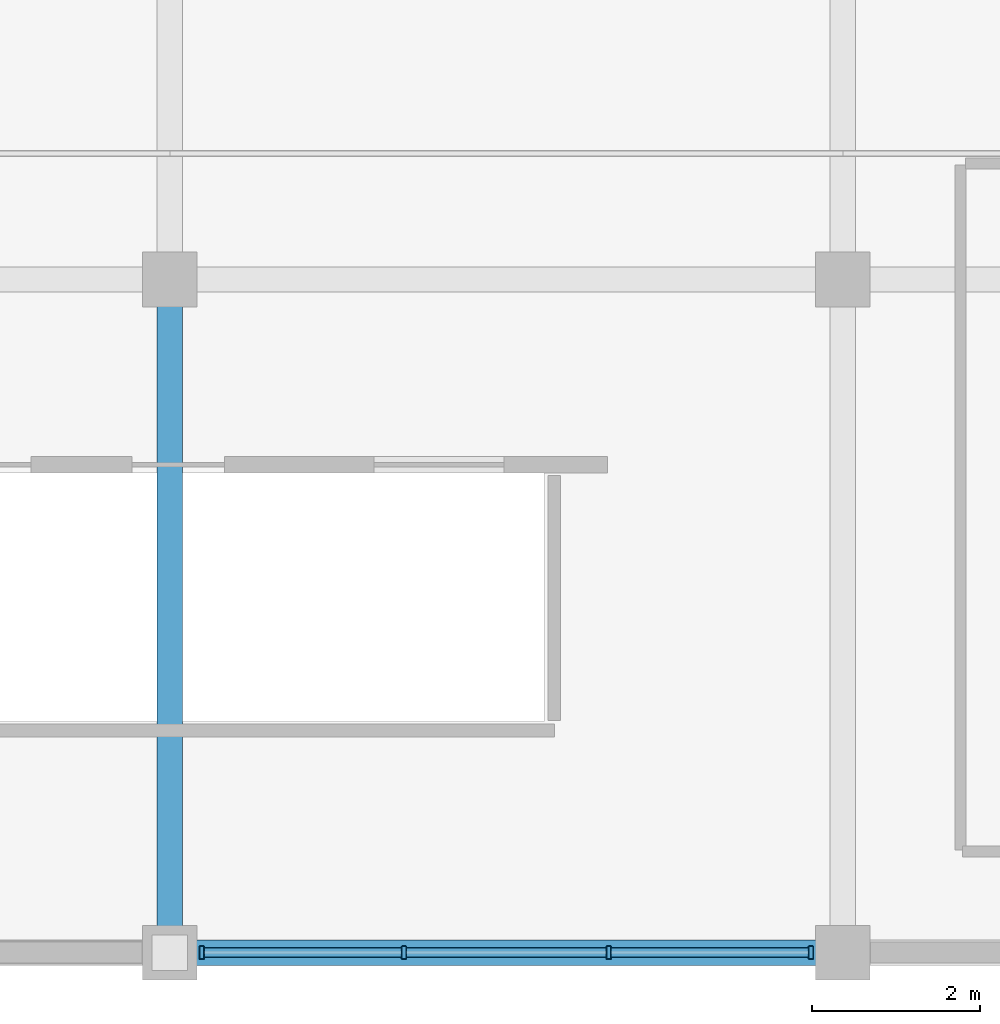
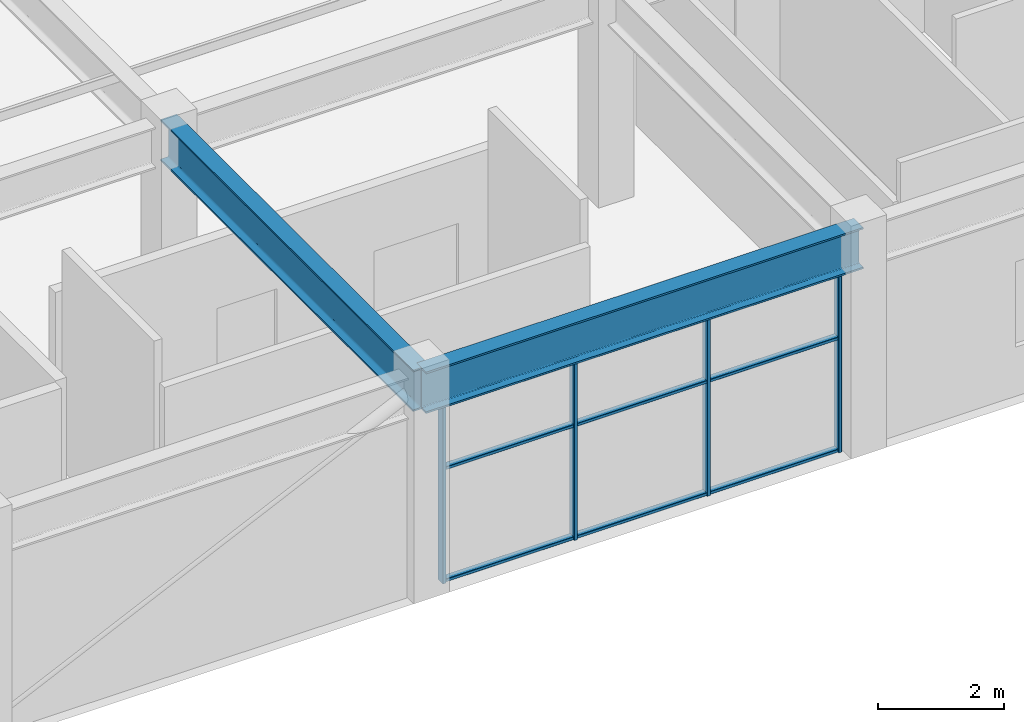
# One storey, part 2 of 46: 13 members, 2 beams, 1 element without a shape of its own.
"""IFC4 building model written with IfcOpenShell, lengths in metres."""

from ifc_helpers import new_model, si_unit, direction, frame, origin, origin_2d, place, context, subcontext, project, spatial, hollow_rectangle, i_section, extrude, material, layer, layer_set, material_profile, profile_set, type_object, element, aggregate, save


model = new_model("IFC4")

# Units and contexts
model_context = context("Model", 3, precision=1e-05, world=origin(), true_north=direction((0.0, 1.0)))
body_context = subcontext(model_context, "Body", "Model", "MODEL_VIEW")
ifc_project = project(units=[si_unit("LENGTHUNIT", "METRE"), si_unit("AREAUNIT", "SQUARE_METRE"), si_unit("VOLUMEUNIT", "CUBIC_METRE"), si_unit("PLANEANGLEUNIT", "RADIAN"), si_unit("MASSUNIT", "GRAM", prefix="KILO")], contexts=[model_context])

# Site, building, storey
site_placement = place(None, origin())
site = spatial("IfcSite", under=ifc_project, at=site_placement, CompositionType="ELEMENT")
building_placement = place(site_placement, origin())
building = spatial("IfcBuilding", under=site, at=building_placement, Name="Kelanora Arch Commons", CompositionType="ELEMENT")
storey_placement = place(building_placement, frame((0.0, 0.0, 18.0)))
storey = spatial("IfcBuildingStorey", under=building, at=storey_placement, Name="L04", CompositionType="ELEMENT", Elevation=18.0)

# Beams
ifc_material_1 = material(Name="Steel S355", Category="steel")
ifc_material_profile_1 = material_profile(ifc_material_1, i_section(OverallWidth=0.300048828125, OverallDepth=0.800048828125, WebThickness=0.017578125, FlangeThickness=0.032958984375, FilletRadius=0.030029296875, at=origin_2d()), Name="HEB800")
ifc_profile_set_1 = profile_set([ifc_material_profile_1], Name="Steel S355")
beam_type = type_object("IfcBeamType", Name="BM-MKT-ROOF", PredefinedType="USERDEFINED", material=ifc_profile_set_1)
for number, where, z_axis, x_axis, name in (
    (1, (20.0, 4.0, 3.860107421875), (1.0, 0.0, 0.0), (0.0, 1.0, 0.0), "Market/Basement Frame Beam 038 L04"),
    (2, (20.0, 4.0, 3.860107421875), (0.0, 1.0, 0.0), (-1.0, 0.0, 0.0), "Market/Basement Frame Beam 039 L04"),
):
    element("IfcBeam", number, at=place(storey_placement, frame(where, z_axis=z_axis, x_axis=x_axis)), inside=storey, type_object=beam_type, Name=name, ObjectType="TRANSFER_GIRDER", PredefinedType="USERDEFINED", context=body_context, shape_type="SweptSolid", body=[
        extrude(i_section(OverallWidth=0.300048828125, OverallDepth=0.800048828125, WebThickness=0.017578125, FlangeThickness=0.032958984375, FilletRadius=0.030029296875, at=origin_2d()), origin(), (0.0, 0.0, 1.0), 8.0),
    ])

# Curtain wall, members
ifc_material_2 = material(Name="Terracotta ceramic-fritted low-E glass and aluminium", Category="masonry")
ifc_layer = layer(ifc_material_2, 0.16796875)
ifc_layer_set = layer_set([ifc_layer], Name="Terracotta ceramic-fritted low-E glass and aluminium")
curtain_wall_type = type_object("IfcCurtainWallType", Name="CW-SYS-07", PredefinedType="NOTDEFINED", material=ifc_layer_set)
curtain_wall_placement = place(storey_placement, origin())
curtain_wall = element("IfcCurtainWall", 3, at=curtain_wall_placement, inside=storey, type_object=curtain_wall_type, Name="Market Hall Arcade Curtain Wall L04-02", PredefinedType="NOTDEFINED")
ifc_material_3 = material(Name="Powder-coated aluminium terracotta", Category="masonry")
ifc_material_profile_2 = material_profile(ifc_material_3, hollow_rectangle(XDim=0.159912109375, YDim=0.06005859375, WallThickness=0.0048828125, InnerFilletRadius=0.0048828125, OuterFilletRadius=0.010009765625, at=origin_2d()), Name="CWM160x60")
ifc_profile_set_2 = profile_set([ifc_material_profile_2], Name="Powder-coated aluminium terracotta")
member_type_1 = type_object("IfcMemberType", Name="CWM-STD", PredefinedType="MULLION", material=ifc_profile_set_2)
member_1_placement = place(storey_placement, frame((20.3798828125, 4.0, 0.0), z_axis=(0.0, 0.0, 1.0), x_axis=(0.0, 1.0, 0.0)))
member_1 = element("IfcMember", 4, at=member_1_placement, type_object=member_type_1, Name="CW-07 mullion 1", PredefinedType="MULLION", context=body_context, shape_type="SweptSolid", body=[
    extrude(hollow_rectangle(XDim=0.159912109375, YDim=0.06005859375, WallThickness=0.0048828125, InnerFilletRadius=0.0048828125, OuterFilletRadius=0.010009765625, at=origin_2d()), origin(), (0.0, 0.0, 1.0), 3.43994140625),
])
member_2_placement = place(storey_placement, frame((22.783447265625, 4.0, 0.0), z_axis=(0.0, 0.0, 1.0), x_axis=(0.0, 1.0, 0.0)))
member_2 = element("IfcMember", 5, at=member_2_placement, type_object=member_type_1, Name="CW-07 mullion 2", PredefinedType="MULLION", context=body_context, shape_type="SweptSolid", body=[
    extrude(hollow_rectangle(XDim=0.159912109375, YDim=0.06005859375, WallThickness=0.0048828125, InnerFilletRadius=0.0048828125, OuterFilletRadius=0.010009765625, at=origin_2d()), origin(), (0.0, 0.0, 1.0), 3.43994140625),
])
member_3_placement = place(storey_placement, frame((25.216552734375, 4.0, 0.0), z_axis=(0.0, 0.0, 1.0), x_axis=(0.0, 1.0, 0.0)))
member_3 = element("IfcMember", 6, at=member_3_placement, type_object=member_type_1, Name="CW-07 mullion 3", PredefinedType="MULLION", context=body_context, shape_type="SweptSolid", body=[
    extrude(hollow_rectangle(XDim=0.159912109375, YDim=0.06005859375, WallThickness=0.0048828125, InnerFilletRadius=0.0048828125, OuterFilletRadius=0.010009765625, at=origin_2d()), origin(), (0.0, 0.0, 1.0), 3.43994140625),
])
member_4_placement = place(storey_placement, frame((27.6201171875, 4.0, 0.0), z_axis=(0.0, 0.0, 1.0), x_axis=(0.0, 1.0, 0.0)))
member_4 = element("IfcMember", 7, at=member_4_placement, type_object=member_type_1, Name="CW-07 mullion 4", PredefinedType="MULLION", context=body_context, shape_type="SweptSolid", body=[
    extrude(hollow_rectangle(XDim=0.159912109375, YDim=0.06005859375, WallThickness=0.0048828125, InnerFilletRadius=0.0048828125, OuterFilletRadius=0.010009765625, at=origin_2d()), origin(), (0.0, 0.0, 1.0), 3.43994140625),
])
ifc_material_profile_3 = material_profile(ifc_material_3, hollow_rectangle(XDim=0.1201171875, YDim=0.06005859375, WallThickness=0.0048828125, InnerFilletRadius=0.0048828125, OuterFilletRadius=0.010009765625, at=origin_2d()), Name="CWT120x60")
ifc_profile_set_3 = profile_set([ifc_material_profile_3], Name="Powder-coated aluminium terracotta")
member_type_2 = type_object("IfcMemberType", Name="CWT-STD", PredefinedType="USERDEFINED", material=ifc_profile_set_3)
member_5_placement = place(storey_placement, frame((20.409912109375, 4.0, 0.030029296875), z_axis=(1.0, 0.0, 0.0), x_axis=(0.0, 1.0, 0.0)))
member_5 = element("IfcMember", 8, at=member_5_placement, type_object=member_type_2, Name="CW-07 transom 1.1", ObjectType="TRANSOM", PredefinedType="USERDEFINED", context=body_context, shape_type="SweptSolid", body=[
    extrude(hollow_rectangle(XDim=0.1201171875, YDim=0.06005859375, WallThickness=0.0048828125, InnerFilletRadius=0.0048828125, OuterFilletRadius=0.010009765625, at=origin_2d()), origin(), (0.0, 0.0, 1.0), 2.343505859375),
])
member_6_placement = place(storey_placement, frame((20.409912109375, 4.0, 2.199951171875), z_axis=(1.0, 0.0, 0.0), x_axis=(0.0, 1.0, 0.0)))
member_6 = element("IfcMember", 9, at=member_6_placement, type_object=member_type_2, Name="CW-07 transom 1.2", ObjectType="TRANSOM", PredefinedType="USERDEFINED", context=body_context, shape_type="SweptSolid", body=[
    extrude(hollow_rectangle(XDim=0.1201171875, YDim=0.06005859375, WallThickness=0.0048828125, InnerFilletRadius=0.0048828125, OuterFilletRadius=0.010009765625, at=origin_2d()), origin(), (0.0, 0.0, 1.0), 2.343505859375),
])
member_7_placement = place(storey_placement, frame((20.409912109375, 4.0, 3.409912109375), z_axis=(1.0, 0.0, 0.0), x_axis=(0.0, 1.0, 0.0)))
member_7 = element("IfcMember", 10, at=member_7_placement, type_object=member_type_2, Name="CW-07 transom 1.3", ObjectType="TRANSOM", PredefinedType="USERDEFINED", context=body_context, shape_type="SweptSolid", body=[
    extrude(hollow_rectangle(XDim=0.1201171875, YDim=0.06005859375, WallThickness=0.0048828125, InnerFilletRadius=0.0048828125, OuterFilletRadius=0.010009765625, at=origin_2d()), origin(), (0.0, 0.0, 1.0), 2.343505859375),
])
member_8_placement = place(storey_placement, frame((22.813232421875, 4.0, 0.030029296875), z_axis=(1.0, 0.0, 0.0), x_axis=(0.0, 1.0, 0.0)))
member_8 = element("IfcMember", 11, at=member_8_placement, type_object=member_type_2, Name="CW-07 transom 2.1", ObjectType="TRANSOM", PredefinedType="USERDEFINED", context=body_context, shape_type="SweptSolid", body=[
    extrude(hollow_rectangle(XDim=0.1201171875, YDim=0.06005859375, WallThickness=0.0048828125, InnerFilletRadius=0.0048828125, OuterFilletRadius=0.010009765625, at=origin_2d()), origin(), (0.0, 0.0, 1.0), 2.37353515625),
])
member_9_placement = place(storey_placement, frame((22.813232421875, 4.0, 2.199951171875), z_axis=(1.0, 0.0, 0.0), x_axis=(0.0, 1.0, 0.0)))
member_9 = element("IfcMember", 12, at=member_9_placement, type_object=member_type_2, Name="CW-07 transom 2.2", ObjectType="TRANSOM", PredefinedType="USERDEFINED", context=body_context, shape_type="SweptSolid", body=[
    extrude(hollow_rectangle(XDim=0.1201171875, YDim=0.06005859375, WallThickness=0.0048828125, InnerFilletRadius=0.0048828125, OuterFilletRadius=0.010009765625, at=origin_2d()), origin(), (0.0, 0.0, 1.0), 2.37353515625),
])
member_10_placement = place(storey_placement, frame((22.813232421875, 4.0, 3.409912109375), z_axis=(1.0, 0.0, 0.0), x_axis=(0.0, 1.0, 0.0)))
member_10 = element("IfcMember", 13, at=member_10_placement, type_object=member_type_2, Name="CW-07 transom 2.3", ObjectType="TRANSOM", PredefinedType="USERDEFINED", context=body_context, shape_type="SweptSolid", body=[
    extrude(hollow_rectangle(XDim=0.1201171875, YDim=0.06005859375, WallThickness=0.0048828125, InnerFilletRadius=0.0048828125, OuterFilletRadius=0.010009765625, at=origin_2d()), origin(), (0.0, 0.0, 1.0), 2.37353515625),
])
member_11_placement = place(storey_placement, frame((25.24658203125, 4.0, 0.030029296875), z_axis=(1.0, 0.0, 0.0), x_axis=(0.0, 1.0, 0.0)))
member_11 = element("IfcMember", 14, at=member_11_placement, type_object=member_type_2, Name="CW-07 transom 3.1", ObjectType="TRANSOM", PredefinedType="USERDEFINED", context=body_context, shape_type="SweptSolid", body=[
    extrude(hollow_rectangle(XDim=0.1201171875, YDim=0.06005859375, WallThickness=0.0048828125, InnerFilletRadius=0.0048828125, OuterFilletRadius=0.010009765625, at=origin_2d()), origin(), (0.0, 0.0, 1.0), 2.343505859375),
])
member_12_placement = place(storey_placement, frame((25.24658203125, 4.0, 2.199951171875), z_axis=(1.0, 0.0, 0.0), x_axis=(0.0, 1.0, 0.0)))
member_12 = element("IfcMember", 15, at=member_12_placement, type_object=member_type_2, Name="CW-07 transom 3.2", ObjectType="TRANSOM", PredefinedType="USERDEFINED", context=body_context, shape_type="SweptSolid", body=[
    extrude(hollow_rectangle(XDim=0.1201171875, YDim=0.06005859375, WallThickness=0.0048828125, InnerFilletRadius=0.0048828125, OuterFilletRadius=0.010009765625, at=origin_2d()), origin(), (0.0, 0.0, 1.0), 2.343505859375),
])
member_13_placement = place(storey_placement, frame((25.24658203125, 4.0, 3.409912109375), z_axis=(1.0, 0.0, 0.0), x_axis=(0.0, 1.0, 0.0)))
member_13 = element("IfcMember", 16, at=member_13_placement, type_object=member_type_2, Name="CW-07 transom 3.3", ObjectType="TRANSOM", PredefinedType="USERDEFINED", context=body_context, shape_type="SweptSolid", body=[
    extrude(hollow_rectangle(XDim=0.1201171875, YDim=0.06005859375, WallThickness=0.0048828125, InnerFilletRadius=0.0048828125, OuterFilletRadius=0.010009765625, at=origin_2d()), origin(), (0.0, 0.0, 1.0), 2.343505859375),
])
aggregate(curtain_wall, [member_1, member_2, member_3, member_4, member_5, member_6, member_7, member_8, member_9, member_10, member_11, member_12, member_13])

save(model, "model.ifc")
